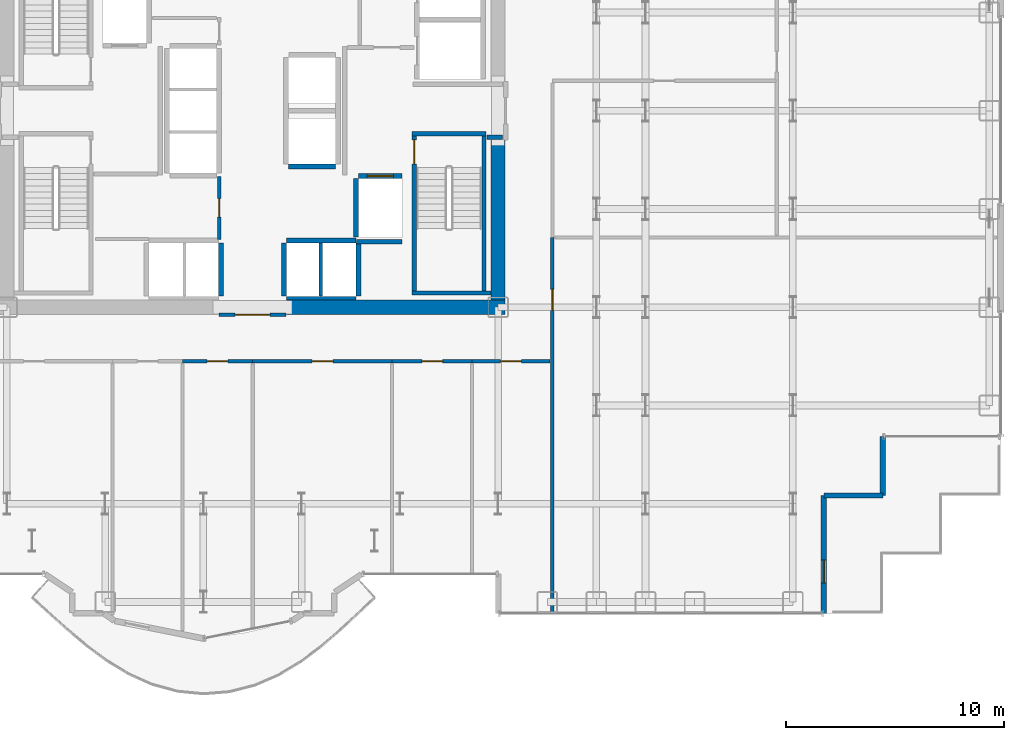
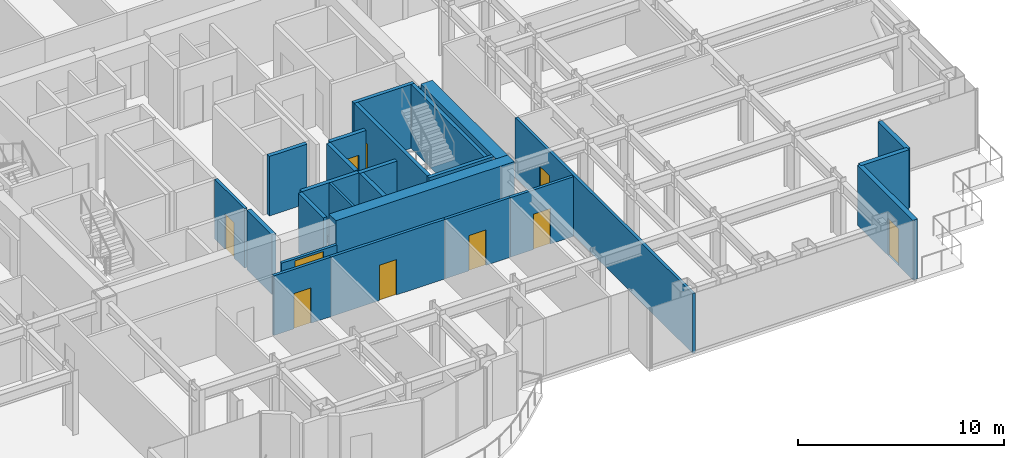
# One storey, part 24 of 29: 27 walls, 10 doors, 10 openings.
"""IFC4 building model written with IfcOpenShell, lengths in metres."""

from ifc_helpers import new_model, si_unit, direction, frame, frame_2d, origin, place, context, subcontext, project, spatial, rectangle, extrude, source, transform, mapped, material, layer, layer_set, type_object, element, fill, save


model = new_model("IFC4")

# Units and contexts
model_context = context("Model", 3, precision=1e-05, world=origin(), true_north=direction((0.0, 1.0)))
body_context = subcontext(model_context, "Body", "Model", "MODEL_VIEW")
ifc_project = project(units=[si_unit("LENGTHUNIT", "METRE"), si_unit("AREAUNIT", "SQUARE_METRE"), si_unit("VOLUMEUNIT", "CUBIC_METRE"), si_unit("PLANEANGLEUNIT", "RADIAN"), si_unit("MASSUNIT", "GRAM", prefix="KILO")], contexts=[model_context])

# Site, building, storey
site_placement = place(None, origin())
site = spatial("IfcSite", under=ifc_project, at=site_placement, CompositionType="ELEMENT")
building_placement = place(site_placement, origin())
building = spatial("IfcBuilding", under=site, at=building_placement, Name="Nefas-Gora Pilgrimage Tower", CompositionType="ELEMENT")
storey_placement = place(building_placement, frame((0.0, 0.0, 67.199951171875)))
storey = spatial("IfcBuildingStorey", under=building, at=storey_placement, Name="L15", CompositionType="ELEMENT", Elevation=67.199951171875)

# Walls
ifc_material_1 = material(Name="Concrete C60/75", Category="concrete")
ifc_layer_1 = layer(ifc_material_1, 0.64990234375)
ifc_layer_set_1 = layer_set([ifc_layer_1], Name="Concrete C60/75")
wall_type_1 = type_object("IfcWallType", Name="SW-CORE-650", PredefinedType="SHEAR", material=ifc_layer_set_1)
shared_shape_1 = source(origin(), body_context, "Body", "SweptSolid", [
    extrude(rectangle(XDim=10.02490234375, YDim=0.64990234375, at=frame_2d((5.012451171875, 0.0))), origin(), (0.0, 0.0, 1.0), 3.800048828125),
])
wall_1_placement = place(storey_placement, frame((1.550048828125, -9.0, 0.0), z_axis=(0.0, 0.0, 1.0), x_axis=(1.0, 0.0, 0.0)))
element("IfcWall", 1, at=wall_1_placement, inside=storey, type_object=wall_type_1, Name="L15 Core Shear Wall S-East", PredefinedType="SHEAR", context=body_context, shape_type="MappedRepresentation", body=[
    mapped(shared_shape_1, transform((0.0, 0.0, 0.0), x_axis=(1.0, 0.0, 0.0), y_axis=(0.0, 1.0, 0.0), z_axis=(0.0, 0.0, 1.0), scale=1.0)),
])
shared_shape_2 = source(origin(), body_context, "Body", "SweptSolid", [
    extrude(rectangle(XDim=7.324951171875, YDim=0.64990234375, at=frame_2d((3.66259765625, 0.0))), origin(), (0.0, 0.0, 1.0), 3.800048828125),
])
wall_2_placement = place(storey_placement, frame((11.25, -8.675048828125, 0.0), z_axis=(0.0, 0.0, 1.0), x_axis=(0.0, 1.0, 0.0)))
element("IfcWall", 2, at=wall_2_placement, inside=storey, type_object=wall_type_1, Name="L15 Core Shear Wall E-South", PredefinedType="SHEAR", context=body_context, shape_type="MappedRepresentation", body=[
    mapped(shared_shape_2, transform((0.0, 0.0, 0.0), x_axis=(1.0, 0.0, 0.0), y_axis=(0.0, 1.0, 0.0), z_axis=(0.0, 0.0, 1.0), scale=1.0)),
])

# Wall, opening, door
ifc_material_2 = material(Name="Precast concrete C40/50", Category="concrete")
ifc_layer_2 = layer(ifc_material_2, 0.260009765625)
ifc_layer_set_2 = layer_set([ifc_layer_2], Name="Precast concrete C40/50")
wall_type_2 = type_object("IfcWallType", Name="EW-PORTAL-260", PredefinedType="SOLIDWALL", material=ifc_layer_set_2)
shared_shape_3 = source(origin(), body_context, "Body", "SweptSolid", [
    extrude(rectangle(XDim=5.39990234375, YDim=0.260009765625, at=frame_2d((2.699951171875, 0.0))), origin(), (0.0, 0.0, 1.0), 3.550048828125),
])
wall_3_placement = place(storey_placement, frame((26.169921875, -23.02001953125, 0.0), z_axis=(0.0, 0.0, 1.0), x_axis=(0.0, 1.0, 0.0)))
wall_3 = element("IfcWall", 3, at=wall_3_placement, inside=storey, type_object=wall_type_2, Name="L15 Insulated Terrace Portal Wall 6", PredefinedType="SOLIDWALL", context=body_context, shape_type="MappedRepresentation", body=[
    mapped(shared_shape_3, transform((0.0, 0.0, 0.0), x_axis=(1.0, 0.0, 0.0), y_axis=(0.0, 1.0, 0.0), z_axis=(0.0, 0.0, 1.0), scale=1.0)),
])
opening_1_placement = place(wall_3_placement, frame((1.39697265625, 0.0, 0.0)))
opening_1 = element("IfcOpeningElement", 4, at=opening_1_placement, cuts=wall_3, Name="Opening ED-T1", PredefinedType="OPENING", context=body_context, shape_type="SweptSolid", body=[
    extrude(rectangle(XDim=1.050048828125, YDim=2.199951171875, at=frame_2d((0.52490234375, 1.10009765625))), frame((0.0, 0.139892578125, 0.0), z_axis=(0.0, -1.0, 0.0), x_axis=(1.0, 0.0, 0.0)), (0.0, 0.0, 1.0), 0.280029296875),
])
ifc_material_3 = material(Name="Thermally broken glazed aluminium terrace door", Category="aluminium")
door_type_1 = type_object("IfcDoorType", Name="DR-EXT-TER-1050", OperationType="NOTDEFINED", PredefinedType="DOOR", material=ifc_material_3)
shared_shape_4 = source(origin(), body_context, "Body", "SweptSolid", [
    extrude(rectangle(XDim=1.050048828125, YDim=2.199951171875, at=frame_2d((0.52490234375, 1.10009765625))), frame((0.0, 0.02490234375, 0.0), z_axis=(0.0, -1.0, 0.0), x_axis=(1.0, 0.0, 0.0)), (0.0, 0.0, 1.0), 0.050048828125),
])
door_1_placement = place(opening_1_placement, origin())
door_1 = element("IfcDoor", 5, at=door_1_placement, inside=storey, type_object=door_type_1, Name="L15 Exterior Door (L15 Outdoor Terrace TER-SP-SE)", OperationType="SINGLE_SWING_RIGHT", OverallHeight=2.199951171875, OverallWidth=1.050048828125, PredefinedType="DOOR", context=body_context, shape_type="MappedRepresentation", body=[
    mapped(shared_shape_4, transform((0.0, 0.0, 0.0), x_axis=(1.0, 0.0, 0.0), y_axis=(0.0, 1.0, 0.0), z_axis=(0.0, 0.0, 1.0), scale=1.0)),
])
fill(opening_1, door_1)

# Walls
ifc_material_4 = material(Name="Precast concrete C45/55", Category="concrete")
ifc_layer_3 = layer(ifc_material_4, 0.239990234375)
ifc_layer_set_3 = layer_set([ifc_layer_3], Name="Precast concrete C45/55")
wall_type_3 = type_object("IfcWallType", Name="EW-SERR-240", PredefinedType="SHEAR", material=ifc_layer_set_3)
shared_shape_5 = source(origin(), body_context, "Body", "SweptSolid", [
    extrude(rectangle(XDim=2.7001953125, YDim=0.239990234375, at=frame_2d((1.35009765625, 0.0))), origin(), (0.0, 0.0, 1.0), 3.550048828125),
])
for number, where, z_axis, x_axis, name in (
    (6, (26.169921875, -17.6201171875, 0.0), (0.0, 0.0, 1.0), (1.0, 0.0, 0.0), "L15 Serrated Corner Shear Pier Wall 7"),
    (7, (28.8701171875, -17.6201171875, 0.0), (0.0, 0.0, 1.0), (0.0, 1.0, 0.0), "L15 Serrated Corner Shear Pier Wall 8"),
):
    element("IfcWall", number, at=place(storey_placement, frame(where, z_axis=z_axis, x_axis=x_axis)), inside=storey, type_object=wall_type_3, Name=name, PredefinedType="SHEAR", context=body_context, shape_type="MappedRepresentation", body=[
        mapped(shared_shape_5, transform((0.0, 0.0, 0.0), x_axis=(1.0, 0.0, 0.0), y_axis=(0.0, 1.0, 0.0), z_axis=(0.0, 0.0, 1.0), scale=1.0)),
    ])
ifc_material_5 = material(Name="Concrete C45/55", Category="concrete")
ifc_layer_4 = layer(ifc_material_5, 0.199951171875)
ifc_layer_set_4 = layer_set([ifc_layer_4], Name="Concrete C45/55")
wall_type_4 = type_object("IfcWallType", Name="IW-STAIR-200", PredefinedType="SOLIDWALL", material=ifc_layer_set_4)
shared_shape_6 = source(origin(), body_context, "Body", "SweptSolid", [
    extrude(rectangle(XDim=3.39990234375, YDim=0.199951171875, at=frame_2d((1.699951171875, 0.0))), origin(), (0.0, 0.0, 1.0), 3.800048828125),
])
wall_4_placement = place(storey_placement, frame((7.300048828125, -1.050048828125, 0.0), z_axis=(0.0, 0.0, 1.0), x_axis=(1.0, 0.0, 0.0)))
element("IfcWall", 8, at=wall_4_placement, inside=storey, type_object=wall_type_4, Name="L15 Stairwell Shear Wall ST-02-near", PredefinedType="SOLIDWALL", context=body_context, shape_type="MappedRepresentation", body=[
    mapped(shared_shape_6, transform((0.0, 0.0, 0.0), x_axis=(1.0, 0.0, 0.0), y_axis=(0.0, 1.0, 0.0), z_axis=(0.0, 0.0, 1.0), scale=1.0)),
])
shared_shape_7 = source(origin(), body_context, "Body", "SweptSolid", [
    extrude(rectangle(XDim=3.6298828125, YDim=0.199951171875, at=frame_2d((1.81494140625, 0.0))), origin(), (0.0, 0.0, 1.0), 3.800048828125),
])
wall_5_placement = place(storey_placement, frame((7.300048828125, -8.35009765625, 0.0), z_axis=(0.0, 0.0, 1.0), x_axis=(1.0, 0.0, 0.0)))
element("IfcWall", 9, at=wall_5_placement, inside=storey, type_object=wall_type_4, Name="L15 Stairwell Shear Wall ST-02-far", PredefinedType="SOLIDWALL", context=body_context, shape_type="MappedRepresentation", body=[
    mapped(shared_shape_7, transform((0.0, 0.0, 0.0), x_axis=(1.0, 0.0, 0.0), y_axis=(0.0, 1.0, 0.0), z_axis=(0.0, 0.0, 1.0), scale=1.0)),
])

# Wall, opening, door
shared_shape_8 = source(origin(), body_context, "Body", "SweptSolid", [
    extrude(rectangle(XDim=7.10009765625, YDim=0.199951171875, at=frame_2d((3.550048828125, 0.0))), origin(), (0.0, 0.0, 1.0), 3.800048828125),
])
wall_6_placement = place(storey_placement, frame((7.39990234375, -1.14990234375, 0.0), z_axis=(0.0, 0.0, 1.0), x_axis=(0.0, -1.0, 0.0)))
wall_6 = element("IfcWall", 10, at=wall_6_placement, inside=storey, type_object=wall_type_4, Name="L15 Stairwell Shear Wall ST-02-left", PredefinedType="SOLIDWALL", context=body_context, shape_type="MappedRepresentation", body=[
    mapped(shared_shape_8, transform((0.0, 0.0, 0.0), x_axis=(1.0, 0.0, 0.0), y_axis=(0.0, 1.0, 0.0), z_axis=(0.0, 0.0, 1.0), scale=1.0)),
])
opening_2_placement = place(wall_6_placement, frame((0.179931640625, 0.0, 0.0)))
opening_2 = element("IfcOpeningElement", 11, at=opening_2_placement, cuts=wall_6, Name="Opening ID-ST1", PredefinedType="OPENING", context=body_context, shape_type="SweptSolid", body=[
    extrude(rectangle(XDim=1.10009765625, YDim=2.14990234375, at=frame_2d((0.550048828125, 1.074951171875))), frame((0.0, 0.10986328125, 0.0), z_axis=(0.0, -1.0, 0.0), x_axis=(1.0, 0.0, 0.0)), (0.0, 0.0, 1.0), 0.219970703125),
])
ifc_material_6 = material(Name="Painted galvanised steel fire stair door", Category="steel")
door_type_2 = type_object("IfcDoorType", Name="DR-INT-STAIR-1100", OperationType="NOTDEFINED", PredefinedType="DOOR", material=ifc_material_6)
shared_shape_9 = source(origin(), body_context, "Body", "SweptSolid", [
    extrude(rectangle(XDim=1.10009765625, YDim=2.14990234375, at=frame_2d((0.550048828125, 1.074951171875))), frame((0.0, 0.02490234375, 0.0), z_axis=(0.0, -1.0, 0.0), x_axis=(1.0, 0.0, 0.0)), (0.0, 0.0, 1.0), 0.050048828125),
])
door_2_placement = place(opening_2_placement, origin())
door_2 = element("IfcDoor", 12, at=door_2_placement, inside=storey, type_object=door_type_2, Name="L15 Protected Exit Stair Door ST-02", OperationType="SINGLE_SWING_RIGHT", OverallHeight=2.14990234375, OverallWidth=1.10009765625, PredefinedType="DOOR", context=body_context, shape_type="MappedRepresentation", body=[
    mapped(shared_shape_9, transform((0.0, 0.0, 0.0), x_axis=(1.0, 0.0, 0.0), y_axis=(0.0, 1.0, 0.0), z_axis=(0.0, 0.0, 1.0), scale=1.0)),
])
fill(opening_2, door_2)

# Walls
wall_7_placement = place(storey_placement, frame((10.60009765625, -1.14990234375, 0.0), z_axis=(0.0, 0.0, 1.0), x_axis=(0.0, -1.0, 0.0)))
element("IfcWall", 13, at=wall_7_placement, inside=storey, type_object=wall_type_4, Name="L15 Stairwell Shear Wall ST-02-right", PredefinedType="SOLIDWALL", context=body_context, shape_type="MappedRepresentation", body=[
    mapped(shared_shape_8, transform((0.0, 0.0, 0.0), x_axis=(1.0, 0.0, 0.0), y_axis=(0.0, 1.0, 0.0), z_axis=(0.0, 0.0, 1.0), scale=1.0)),
])
ifc_material_7 = material(Name="Gypsum acoustic stud partition")
ifc_layer_5 = layer(ifc_material_7, 0.159912109375)
ifc_layer_set_5 = layer_set([ifc_layer_5], Name="Gypsum acoustic stud partition")
wall_type_5 = type_object("IfcWallType", Name="IW-CORR-160", PredefinedType="PARTITIONING", material=ifc_layer_set_5)
shared_shape_10 = source(origin(), body_context, "Body", "SweptSolid", [
    extrude(rectangle(XDim=3.199951171875, YDim=0.159912109375, at=frame_2d((1.60009765625, 0.0))), origin(), (0.0, 0.0, 1.0), 2.425048828125),
])
wall_8_placement = place(storey_placement, frame((1.550048828125, -8.580078125, 0.0), z_axis=(0.0, 0.0, 1.0), x_axis=(1.0, 0.0, 0.0)))
element("IfcWall", 14, at=wall_8_placement, inside=storey, type_object=wall_type_5, Name="L15 Hoistway Wall PL2-E-S", PredefinedType="PARTITIONING", context=body_context, shape_type="MappedRepresentation", body=[
    mapped(shared_shape_10, transform((0.0, 0.0, 0.0), x_axis=(1.0, 0.0, 0.0), y_axis=(0.0, 1.0, 0.0), z_axis=(0.0, 0.0, 1.0), scale=1.0)),
])

# Wall, opening, door
ifc_material_8 = material(Name="Concrete C40/50", Category="concrete")
ifc_layer_6 = layer(ifc_material_8, 0.219970703125)
ifc_layer_set_6 = layer_set([ifc_layer_6], Name="Concrete C40/50")
wall_type_6 = type_object("IfcWallType", Name="IW-SHAFT-220", PredefinedType="SOLIDWALL", material=ifc_layer_set_6)
shared_shape_11 = source(origin(), body_context, "Body", "SweptSolid", [
    extrude(rectangle(XDim=2.0, YDim=0.219970703125, at=frame_2d((1.0, 0.0))), origin(), (0.0, 0.0, 1.0), 3.53515625),
])
wall_9_placement = place(storey_placement, frame((6.85009765625, -2.989990234375, 0.0), z_axis=(0.0, 0.0, 1.0), x_axis=(-1.0, 0.0, 0.0)))
wall_9 = element("IfcWall", 15, at=wall_9_placement, inside=storey, type_object=wall_type_6, Name="L15 Hoistway Wall FFL-02-N", PredefinedType="SOLIDWALL", context=body_context, shape_type="MappedRepresentation", body=[
    mapped(shared_shape_11, transform((0.0, 0.0, 0.0), x_axis=(1.0, 0.0, 0.0), y_axis=(0.0, 1.0, 0.0), z_axis=(0.0, 0.0, 1.0), scale=1.0)),
])
opening_3_placement = place(wall_9_placement, frame((0.39990234375, 0.0, 0.0)))
opening_3 = element("IfcOpeningElement", 16, at=opening_3_placement, cuts=wall_9, Name="Opening LD-FF", PredefinedType="OPENING", context=body_context, shape_type="SweptSolid", body=[
    extrude(rectangle(XDim=1.199951171875, YDim=2.199951171875, at=frame_2d((0.60009765625, 1.10009765625))), frame((0.0, 0.119873046875, 0.0), z_axis=(0.0, -1.0, 0.0), x_axis=(1.0, 0.0, 0.0)), (0.0, 0.0, 1.0), 0.239990234375),
])
ifc_material_9 = material(Name="Fire-service sliding lift landing door")
door_type_3 = type_object("IfcDoorType", Name="DR-LIFT-FSAE-1200", OperationType="SLIDING_TO_LEFT", PredefinedType="DOOR", material=ifc_material_9)
shared_shape_12 = source(origin(), body_context, "Body", "SweptSolid", [
    extrude(rectangle(XDim=1.199951171875, YDim=2.199951171875, at=frame_2d((0.60009765625, 1.10009765625))), frame((0.0, 0.02490234375, 0.0), z_axis=(0.0, -1.0, 0.0), x_axis=(1.0, 0.0, 0.0)), (0.0, 0.0, 1.0), 0.050048828125),
])
door_3_placement = place(opening_3_placement, origin())
door_3 = element("IfcDoor", 17, at=door_3_placement, inside=storey, type_object=door_type_3, Name="L15 Sliding Lift Landing Door FFL-02", OperationType="SLIDING_TO_LEFT", OverallHeight=2.199951171875, OverallWidth=1.199951171875, PredefinedType="DOOR", context=body_context, shape_type="MappedRepresentation", body=[
    mapped(shared_shape_12, transform((0.0, 0.0, 0.0), x_axis=(1.0, 0.0, 0.0), y_axis=(0.0, 1.0, 0.0), z_axis=(0.0, 0.0, 1.0), scale=1.0)),
])
fill(opening_3, door_3)

# Walls
shared_shape_13 = source(origin(), body_context, "Body", "SweptSolid", [
    extrude(rectangle(XDim=2.679931640625, YDim=0.219970703125, at=frame_2d((1.33984375, 0.0))), origin(), (0.0, 0.0, 1.0), 3.53515625),
])
wall_10_placement = place(storey_placement, frame((4.739990234375, -3.110107421875, 0.0), z_axis=(0.0, 0.0, 1.0), x_axis=(0.0, -1.0, 0.0)))
element("IfcWall", 18, at=wall_10_placement, inside=storey, type_object=wall_type_6, Name="L15 Hoistway Wall FFL-02-W", PredefinedType="SOLIDWALL", context=body_context, shape_type="MappedRepresentation", body=[
    mapped(shared_shape_13, transform((0.0, 0.0, 0.0), x_axis=(1.0, 0.0, 0.0), y_axis=(0.0, 1.0, 0.0), z_axis=(0.0, 0.0, 1.0), scale=1.0)),
])
shared_shape_14 = source(origin(), body_context, "Body", "SweptSolid", [
    extrude(rectangle(XDim=3.199951171875, YDim=0.219970703125, at=frame_2d((1.60009765625, 0.0))), origin(), (0.0, 0.0, 1.0), 3.53515625),
])
wall_11_placement = place(storey_placement, frame((4.75, -5.93994140625, 0.0), z_axis=(0.0, 0.0, 1.0), x_axis=(-1.0, 0.0, 0.0)))
element("IfcWall", 19, at=wall_11_placement, inside=storey, type_object=wall_type_6, Name="L15 Hoistway Wall PL2-E-N", PredefinedType="SOLIDWALL", context=body_context, shape_type="MappedRepresentation", body=[
    mapped(shared_shape_14, transform((0.0, 0.0, 0.0), x_axis=(1.0, 0.0, 0.0), y_axis=(0.0, 1.0, 0.0), z_axis=(0.0, 0.0, 1.0), scale=1.0)),
])
shared_shape_15 = source(origin(), body_context, "Body", "SweptSolid", [
    extrude(rectangle(XDim=2.429931640625, YDim=0.219970703125, at=frame_2d((1.21484375, 0.0))), origin(), (0.0, 0.0, 1.0), 3.53515625),
])
for number, where, z_axis, x_axis, name in (
    (20, (-1.43994140625, -8.489990234375, 0.0), (0.0, 0.0, 1.0), (0.0, 1.0, 0.0), "L15 Hoistway Wall PL2-W-E"),
    (21, (1.43994140625, -6.06005859375, 0.0), (0.0, 0.0, 1.0), (0.0, -1.0, 0.0), "L15 Hoistway Wall PL2-E-W"),
    (22, (4.860107421875, -8.489990234375, 0.0), (0.0, 0.0, 1.0), (0.0, 1.0, 0.0), "L15 Hoistway Wall PL2-E-E"),
):
    element("IfcWall", number, at=place(storey_placement, frame(where, z_axis=z_axis, x_axis=x_axis)), inside=storey, type_object=wall_type_6, Name=name, PredefinedType="SOLIDWALL", context=body_context, shape_type="MappedRepresentation", body=[
        mapped(shared_shape_15, transform((0.0, 0.0, 0.0), x_axis=(1.0, 0.0, 0.0), y_axis=(0.0, 1.0, 0.0), z_axis=(0.0, 0.0, 1.0), scale=1.0)),
    ])
ifc_material_10 = material(Name="Gypsum twin-stud partition")
ifc_layer_7 = layer(ifc_material_10, 0.139892578125)
ifc_layer_set_7 = layer_set([ifc_layer_7], Name="Gypsum twin-stud partition")
wall_type_7 = type_object("IfcWallType", Name="IW-UNIT-140", PredefinedType="PARTITIONING", material=ifc_layer_set_7)
shared_shape_16 = source(origin(), body_context, "Body", "SweptSolid", [
    extrude(rectangle(XDim=2.429931640625, YDim=0.139892578125, at=frame_2d((1.21484375, 0.0))), origin(), (0.0, 0.0, 1.0), 3.53515625),
])
wall_12_placement = place(storey_placement, frame((3.125, -8.489990234375, 0.0), z_axis=(0.0, 0.0, 1.0), x_axis=(0.0, 1.0, 0.0)))
element("IfcWall", 23, at=wall_12_placement, inside=storey, type_object=wall_type_7, Name="L15 Hoistway Wall PL2-E-DIV", PredefinedType="PARTITIONING", context=body_context, shape_type="MappedRepresentation", body=[
    mapped(shared_shape_16, transform((0.0, 0.0, 0.0), x_axis=(1.0, 0.0, 0.0), y_axis=(0.0, 1.0, 0.0), z_axis=(0.0, 0.0, 1.0), scale=1.0)),
])
shared_shape_17 = source(origin(), body_context, "Body", "SweptSolid", [
    extrude(rectangle(XDim=2.130126953125, YDim=0.219970703125, at=frame_2d((1.06494140625, 0.0))), origin(), (0.0, 0.0, 1.0), 3.53515625),
])
wall_13_placement = place(storey_placement, frame((1.659912109375, -2.56005859375, 0.0), z_axis=(0.0, 0.0, 1.0), x_axis=(1.0, 0.0, 0.0)))
element("IfcWall", 24, at=wall_13_placement, inside=storey, type_object=wall_type_6, Name="L15 Hoistway Wall OBS-01-S", PredefinedType="SOLIDWALL", context=body_context, shape_type="MappedRepresentation", body=[
    mapped(shared_shape_17, transform((0.0, 0.0, 0.0), x_axis=(1.0, 0.0, 0.0), y_axis=(0.0, 1.0, 0.0), z_axis=(0.0, 0.0, 1.0), scale=1.0)),
])

# Wall, opening, door
shared_shape_18 = source(origin(), body_context, "Body", "SweptSolid", [
    extrude(rectangle(XDim=3.08984375, YDim=0.159912109375, at=frame_2d((1.544921875, 0.0))), origin(), (0.0, 0.0, 1.0), 2.425048828125),
])
wall_14_placement = place(storey_placement, frame((-1.544921875, -9.35009765625, 0.0), z_axis=(0.0, 0.0, 1.0), x_axis=(1.0, 0.0, 0.0)))
wall_14 = element("IfcWall", 25, at=wall_14_placement, inside=storey, type_object=wall_type_5, Name="L15 Central Lift Lobby South Portal Wall 14", PredefinedType="PARTITIONING", context=body_context, shape_type="MappedRepresentation", body=[
    mapped(shared_shape_18, transform((0.0, 0.0, 0.0), x_axis=(1.0, 0.0, 0.0), y_axis=(0.0, 1.0, 0.0), z_axis=(0.0, 0.0, 1.0), scale=1.0)),
])
opening_4_placement = place(wall_14_placement, frame((0.7451171875, 0.0, 0.0)))
opening_4 = element("IfcOpeningElement", 26, at=opening_4_placement, cuts=wall_14, Name="Opening ID-HL1", PredefinedType="OPENING", context=body_context, shape_type="SweptSolid", body=[
    extrude(rectangle(XDim=1.60009765625, YDim=2.300048828125, at=frame_2d((0.800048828125, 1.14990234375))), frame((0.0, 0.08984375, 0.0), z_axis=(0.0, -1.0, 0.0), x_axis=(1.0, 0.0, 0.0)), (0.0, 0.0, 1.0), 0.179931640625),
])
ifc_material_11 = material(Name="Double acoustic timber assembly hall door", Category="wood")
door_type_4 = type_object("IfcDoorType", Name="DR-INT-HALL-1600", OperationType="DOUBLE_DOOR_SINGLE_SWING", PredefinedType="DOOR", material=ifc_material_11)
shared_shape_19 = source(origin(), body_context, "Body", "SweptSolid", [
    extrude(rectangle(XDim=1.60009765625, YDim=2.300048828125, at=frame_2d((0.800048828125, 1.14990234375))), frame((0.0, 0.02490234375, 0.0), z_axis=(0.0, -1.0, 0.0), x_axis=(1.0, 0.0, 0.0)), (0.0, 0.0, 1.0), 0.050048828125),
])
door_4_placement = place(opening_4_placement, origin())
door_4 = element("IfcDoor", 27, at=door_4_placement, inside=storey, type_object=door_type_4, Name="L15 Central Lift Lobby South Portal Door 5", OperationType="DOUBLE_DOOR_SINGLE_SWING", OverallHeight=2.300048828125, OverallWidth=1.60009765625, PredefinedType="DOOR", context=body_context, shape_type="MappedRepresentation", body=[
    mapped(shared_shape_19, transform((0.0, 0.0, 0.0), x_axis=(1.0, 0.0, 0.0), y_axis=(0.0, 1.0, 0.0), z_axis=(0.0, 0.0, 1.0), scale=1.0)),
])
fill(opening_4, door_4)

# Walls
shared_shape_20 = source(origin(), body_context, "Body", "SweptSolid", [
    extrude(rectangle(XDim=2.09521484375, YDim=0.219970703125, at=frame_2d((1.047607421875, 0.0))), origin(), (0.0, 0.0, 1.0), 3.53515625),
])
wall_15_placement = place(storey_placement, frame((4.7548828125, -6.0, 0.0), z_axis=(0.0, 0.0, 1.0), x_axis=(1.0, 0.0, 0.0)))
element("IfcWall", 28, at=wall_15_placement, inside=storey, type_object=wall_type_6, Name="L15 Riser Shaft Wall 2", PredefinedType="SOLIDWALL", context=body_context, shape_type="MappedRepresentation", body=[
    mapped(shared_shape_20, transform((0.0, 0.0, 0.0), x_axis=(1.0, 0.0, 0.0), y_axis=(0.0, 1.0, 0.0), z_axis=(0.0, 0.0, 1.0), scale=1.0)),
])
ifc_material_12 = material(Name="Gypsum fire-rated shaftwall")
ifc_layer_8 = layer(ifc_material_12, 0.199951171875)
ifc_layer_set_8 = layer_set([ifc_layer_8], Name="Gypsum fire-rated shaftwall")
wall_type_8 = type_object("IfcWallType", Name="IW-FFLOB-200", PredefinedType="PARTITIONING", material=ifc_layer_set_8)
shared_shape_21 = source(origin(), body_context, "Body", "SweptSolid", [
    extrude(rectangle(XDim=0.719970703125, YDim=0.199951171875, at=frame_2d((0.35986328125, 0.0))), origin(), (0.0, 0.0, 1.0), 3.53515625),
])
wall_16_placement = place(storey_placement, frame((10.739990234375, -1.219970703125, 0.0), z_axis=(0.0, 0.0, 1.0), x_axis=(1.0, 0.0, 0.0)))
element("IfcWall", 29, at=wall_16_placement, inside=storey, type_object=wall_type_8, Name="L15 FF Lobby East Throat S Wall 12", PredefinedType="PARTITIONING", context=body_context, shape_type="MappedRepresentation", body=[
    mapped(shared_shape_21, transform((0.0, 0.0, 0.0), x_axis=(1.0, 0.0, 0.0), y_axis=(0.0, 1.0, 0.0), z_axis=(0.0, 0.0, 1.0), scale=1.0)),
])

# Wall, opening, door
shared_shape_22 = source(origin(), body_context, "Body", "SweptSolid", [
    extrude(rectangle(XDim=2.8798828125, YDim=0.159912109375, at=frame_2d((1.43994140625, 0.0))), origin(), (0.0, 0.0, 1.0), 3.53515625),
])
wall_17_placement = place(storey_placement, frame((-1.52001953125, -5.889892578125, 0.0), z_axis=(0.0, 0.0, 1.0), x_axis=(0.0, 1.0, 0.0)))
wall_17 = element("IfcWall", 30, at=wall_17_placement, inside=storey, type_object=wall_type_5, Name="L15 Pilgrim Baggage and Gear Vault Wall 18", PredefinedType="PARTITIONING", context=body_context, shape_type="MappedRepresentation", body=[
    mapped(shared_shape_22, transform((0.0, 0.0, 0.0), x_axis=(1.0, 0.0, 0.0), y_axis=(0.0, 1.0, 0.0), z_axis=(0.0, 0.0, 1.0), scale=1.0)),
])
opening_5_placement = place(wall_17_placement, frame((1.014892578125, 0.0, 0.0)))
opening_5 = element("IfcOpeningElement", 31, at=opening_5_placement, cuts=wall_17, Name="Opening ID-BT1", PredefinedType="OPENING", context=body_context, shape_type="SweptSolid", body=[
    extrude(rectangle(XDim=0.85009765625, YDim=2.10009765625, at=frame_2d((0.425048828125, 1.050048828125))), frame((0.0, 0.08984375, 0.0), z_axis=(0.0, -1.0, 0.0), x_axis=(1.0, 0.0, 0.0)), (0.0, 0.0, 1.0), 0.179931640625),
])
ifc_material_13 = material(Name="Moisture-resistant fire-rated timber door", Category="wood")
door_type_5 = type_object("IfcDoorType", Name="DR-INT-BATH-850", OperationType="NOTDEFINED", PredefinedType="DOOR", material=ifc_material_13)
shared_shape_23 = source(origin(), body_context, "Body", "SweptSolid", [
    extrude(rectangle(XDim=0.85009765625, YDim=2.10009765625, at=frame_2d((0.425048828125, 1.050048828125))), frame((0.0, 0.02490234375, 0.0), z_axis=(0.0, -1.0, 0.0), x_axis=(1.0, 0.0, 0.0)), (0.0, 0.0, 1.0), 0.050048828125),
])
door_5_placement = place(opening_5_placement, origin())
door_5 = element("IfcDoor", 32, at=door_5_placement, inside=storey, type_object=door_type_5, Name="L15 Pilgrim Baggage and Gear Vault Door 7", OperationType="SINGLE_SWING_LEFT", OverallHeight=2.10009765625, OverallWidth=0.85009765625, PredefinedType="DOOR", context=body_context, shape_type="MappedRepresentation", body=[
    mapped(shared_shape_23, transform((0.0, 0.0, 0.0), x_axis=(1.0, 0.0, 0.0), y_axis=(0.0, 1.0, 0.0), z_axis=(0.0, 0.0, 1.0), scale=1.0)),
])
fill(opening_5, door_5)

shared_shape_24 = source(origin(), body_context, "Body", "SweptSolid", [
    extrude(rectangle(XDim=17.2451171875, YDim=0.159912109375, at=frame_2d((8.62255859375, 0.0))), origin(), (0.0, 0.0, 1.0), 3.53515625),
])
wall_18_placement = place(storey_placement, frame((13.739990234375, -23.0400390625, 0.0), z_axis=(0.0, 0.0, 1.0), x_axis=(0.0, 1.0, 0.0)))
wall_18 = element("IfcWall", 33, at=wall_18_placement, inside=storey, type_object=wall_type_5, Name="L15 Pilgrim Contemplative Lounge Partition Wall 34", PredefinedType="PARTITIONING", context=body_context, shape_type="MappedRepresentation", body=[
    mapped(shared_shape_24, transform((0.0, 0.0, 0.0), x_axis=(1.0, 0.0, 0.0), y_axis=(0.0, 1.0, 0.0), z_axis=(0.0, 0.0, 1.0), scale=1.0)),
])
opening_6_placement = place(wall_18_placement, frame((13.91259765625, 0.0, 0.0)))
opening_6 = element("IfcOpeningElement", 34, at=opening_6_placement, cuts=wall_18, Name="Opening ID-GR1", PredefinedType="OPENING", context=body_context, shape_type="SweptSolid", body=[
    extrude(rectangle(XDim=0.949951171875, YDim=2.10009765625, at=frame_2d((0.47509765625, 1.050048828125))), frame((0.0, 0.08984375, 0.0), z_axis=(0.0, -1.0, 0.0), x_axis=(1.0, 0.0, 0.0)), (0.0, 0.0, 1.0), 0.179931640625),
])
ifc_material_14 = material(Name="Solid core oak fire-rated guest entrance door")
door_type_6 = type_object("IfcDoorType", Name="DR-INT-GUEST-950", OperationType="NOTDEFINED", PredefinedType="DOOR", material=ifc_material_14)
shared_shape_25 = source(origin(), body_context, "Body", "SweptSolid", [
    extrude(rectangle(XDim=0.949951171875, YDim=2.10009765625, at=frame_2d((0.47509765625, 1.050048828125))), frame((0.0, 0.02490234375, 0.0), z_axis=(0.0, -1.0, 0.0), x_axis=(1.0, 0.0, 0.0)), (0.0, 0.0, 1.0), 0.050048828125),
])
door_6_placement = place(opening_6_placement, origin())
door_6 = element("IfcDoor", 35, at=door_6_placement, inside=storey, type_object=door_type_6, Name="L15 Pilgrim Contemplative Lounge Door 15", OperationType="SINGLE_SWING_LEFT", OverallHeight=2.10009765625, OverallWidth=0.949951171875, PredefinedType="DOOR", context=body_context, shape_type="MappedRepresentation", body=[
    mapped(shared_shape_25, transform((0.0, 0.0, 0.0), x_axis=(1.0, 0.0, 0.0), y_axis=(0.0, 1.0, 0.0), z_axis=(0.0, 0.0, 1.0), scale=1.0)),
])
fill(opening_6, door_6)

shared_shape_26 = source(origin(), body_context, "Body", "SweptSolid", [
    extrude(rectangle(XDim=6.405029296875, YDim=0.159912109375, at=frame_2d((3.20263671875, 0.0))), origin(), (0.0, 0.0, 1.0), 3.53515625),
])
wall_19_placement = place(storey_placement, frame((0.0, -11.469970703125, 0.0), z_axis=(0.0, 0.0, 1.0), x_axis=(1.0, 0.0, 0.0)))
wall_19 = element("IfcWall", 36, at=wall_19_placement, inside=storey, type_object=wall_type_5, Name="L15 Pilgrim Contemplative Lounge Partition Wall 51", PredefinedType="PARTITIONING", context=body_context, shape_type="MappedRepresentation", body=[
    mapped(shared_shape_26, transform((0.0, 0.0, 0.0), x_axis=(1.0, 0.0, 0.0), y_axis=(0.0, 1.0, 0.0), z_axis=(0.0, 0.0, 1.0), scale=1.0)),
])
opening_7_placement = place(wall_19_placement, frame((2.7275390625, 0.0, 0.0)))
opening_7 = element("IfcOpeningElement", 37, at=opening_7_placement, cuts=wall_19, Name="Opening ID-GR1", PredefinedType="OPENING", context=body_context, shape_type="SweptSolid", body=[
    extrude(rectangle(XDim=0.949951171875, YDim=2.10009765625, at=frame_2d((0.47509765625, 1.050048828125))), frame((0.0, 0.08984375, 0.0), z_axis=(0.0, -1.0, 0.0), x_axis=(1.0, 0.0, 0.0)), (0.0, 0.0, 1.0), 0.179931640625),
])
door_7_placement = place(opening_7_placement, origin())
door_7 = element("IfcDoor", 38, at=door_7_placement, inside=storey, type_object=door_type_6, Name="L15 Pilgrim Contemplative Lounge Door 25", OperationType="SINGLE_SWING_LEFT", OverallHeight=2.10009765625, OverallWidth=0.949951171875, PredefinedType="DOOR", context=body_context, shape_type="MappedRepresentation", body=[
    mapped(shared_shape_25, transform((0.0, 0.0, 0.0), x_axis=(1.0, 0.0, 0.0), y_axis=(0.0, 1.0, 0.0), z_axis=(0.0, 0.0, 1.0), scale=1.0)),
])
fill(opening_7, door_7)

shared_shape_27 = source(origin(), body_context, "Body", "SweptSolid", [
    extrude(rectangle(XDim=3.202392578125, YDim=0.159912109375, at=frame_2d((1.60107421875, 0.0))), origin(), (0.0, 0.0, 1.0), 3.53515625),
])
wall_20_placement = place(storey_placement, frame((-3.202392578125, -11.469970703125, 0.0), z_axis=(0.0, 0.0, 1.0), x_axis=(1.0, 0.0, 0.0)))
wall_20 = element("IfcWall", 39, at=wall_20_placement, inside=storey, type_object=wall_type_5, Name="L15 Pilgrim Contemplative Lounge Partition Wall 56", PredefinedType="PARTITIONING", context=body_context, shape_type="MappedRepresentation", body=[
    mapped(shared_shape_27, transform((0.0, 0.0, 0.0), x_axis=(1.0, 0.0, 0.0), y_axis=(0.0, 1.0, 0.0), z_axis=(0.0, 0.0, 1.0), scale=1.0)),
])
opening_8_placement = place(wall_20_placement, frame((1.126220703125, 0.0, 0.0)))
opening_8 = element("IfcOpeningElement", 40, at=opening_8_placement, cuts=wall_20, Name="Opening ID-GR1", PredefinedType="OPENING", context=body_context, shape_type="SweptSolid", body=[
    extrude(rectangle(XDim=0.949951171875, YDim=2.10009765625, at=frame_2d((0.47509765625, 1.050048828125))), frame((0.0, 0.08984375, 0.0), z_axis=(0.0, -1.0, 0.0), x_axis=(1.0, 0.0, 0.0)), (0.0, 0.0, 1.0), 0.179931640625),
])
door_8_placement = place(opening_8_placement, origin())
door_8 = element("IfcDoor", 41, at=door_8_placement, inside=storey, type_object=door_type_6, Name="L15 Pilgrim Contemplative Lounge Door 27", OperationType="SINGLE_SWING_LEFT", OverallHeight=2.10009765625, OverallWidth=0.949951171875, PredefinedType="DOOR", context=body_context, shape_type="MappedRepresentation", body=[
    mapped(shared_shape_25, transform((0.0, 0.0, 0.0), x_axis=(1.0, 0.0, 0.0), y_axis=(0.0, 1.0, 0.0), z_axis=(0.0, 0.0, 1.0), scale=1.0)),
])
fill(opening_8, door_8)

shared_shape_28 = source(origin(), body_context, "Body", "SweptSolid", [
    extrude(rectangle(XDim=3.6650390625, YDim=0.159912109375, at=frame_2d((1.83251953125, 0.0))), origin(), (0.0, 0.0, 1.0), 3.53515625),
])
wall_21_placement = place(storey_placement, frame((6.39501953125, -11.469970703125, 0.0), z_axis=(0.0, 0.0, 1.0), x_axis=(1.0, 0.0, 0.0)))
wall_21 = element("IfcWall", 42, at=wall_21_placement, inside=storey, type_object=wall_type_5, Name="L15 Pilgrim Contemplative Lounge Partition Wall 57", PredefinedType="PARTITIONING", context=body_context, shape_type="MappedRepresentation", body=[
    mapped(shared_shape_28, transform((0.0, 0.0, 0.0), x_axis=(1.0, 0.0, 0.0), y_axis=(0.0, 1.0, 0.0), z_axis=(0.0, 0.0, 1.0), scale=1.0)),
])
opening_9_placement = place(wall_21_placement, frame((1.357421875, 0.0, 0.0)))
opening_9 = element("IfcOpeningElement", 43, at=opening_9_placement, cuts=wall_21, Name="Opening ID-GR1", PredefinedType="OPENING", context=body_context, shape_type="SweptSolid", body=[
    extrude(rectangle(XDim=0.949951171875, YDim=2.10009765625, at=frame_2d((0.47509765625, 1.050048828125))), frame((0.0, 0.08984375, 0.0), z_axis=(0.0, -1.0, 0.0), x_axis=(1.0, 0.0, 0.0)), (0.0, 0.0, 1.0), 0.179931640625),
])
door_9_placement = place(opening_9_placement, origin())
door_9 = element("IfcDoor", 44, at=door_9_placement, inside=storey, type_object=door_type_6, Name="L15 Pilgrim Contemplative Lounge Door 28", OperationType="SINGLE_SWING_RIGHT", OverallHeight=2.10009765625, OverallWidth=0.949951171875, PredefinedType="DOOR", context=body_context, shape_type="MappedRepresentation", body=[
    mapped(shared_shape_25, transform((0.0, 0.0, 0.0), x_axis=(1.0, 0.0, 0.0), y_axis=(0.0, 1.0, 0.0), z_axis=(0.0, 0.0, 1.0), scale=1.0)),
])
fill(opening_9, door_9)

shared_shape_29 = source(origin(), body_context, "Body", "SweptSolid", [
    extrude(rectangle(XDim=3.56005859375, YDim=0.159912109375, at=frame_2d((1.780029296875, 0.0))), origin(), (0.0, 0.0, 1.0), 3.53515625),
])
wall_22_placement = place(storey_placement, frame((10.06005859375, -11.469970703125, 0.0), z_axis=(0.0, 0.0, 1.0), x_axis=(1.0, 0.0, 0.0)))
wall_22 = element("IfcWall", 45, at=wall_22_placement, inside=storey, type_object=wall_type_5, Name="L15 Pilgrim Contemplative Lounge Partition Wall 59", PredefinedType="PARTITIONING", context=body_context, shape_type="MappedRepresentation", body=[
    mapped(shared_shape_29, transform((0.0, 0.0, 0.0), x_axis=(1.0, 0.0, 0.0), y_axis=(0.0, 1.0, 0.0), z_axis=(0.0, 0.0, 1.0), scale=1.0)),
])
opening_10_placement = place(wall_22_placement, frame((1.304931640625, 0.0, 0.0)))
opening_10 = element("IfcOpeningElement", 46, at=opening_10_placement, cuts=wall_22, Name="Opening ID-GR1", PredefinedType="OPENING", context=body_context, shape_type="SweptSolid", body=[
    extrude(rectangle(XDim=0.949951171875, YDim=2.10009765625, at=frame_2d((0.47509765625, 1.050048828125))), frame((0.0, 0.08984375, 0.0), z_axis=(0.0, -1.0, 0.0), x_axis=(1.0, 0.0, 0.0)), (0.0, 0.0, 1.0), 0.179931640625),
])
door_10_placement = place(opening_10_placement, origin())
door_10 = element("IfcDoor", 47, at=door_10_placement, inside=storey, type_object=door_type_6, Name="L15 Pilgrim Contemplative Lounge Door 29", OperationType="SINGLE_SWING_LEFT", OverallHeight=2.10009765625, OverallWidth=0.949951171875, PredefinedType="DOOR", context=body_context, shape_type="MappedRepresentation", body=[
    mapped(shared_shape_25, transform((0.0, 0.0, 0.0), x_axis=(1.0, 0.0, 0.0), y_axis=(0.0, 1.0, 0.0), z_axis=(0.0, 0.0, 1.0), scale=1.0)),
])
fill(opening_10, door_10)

save(model, "model.ifc")
